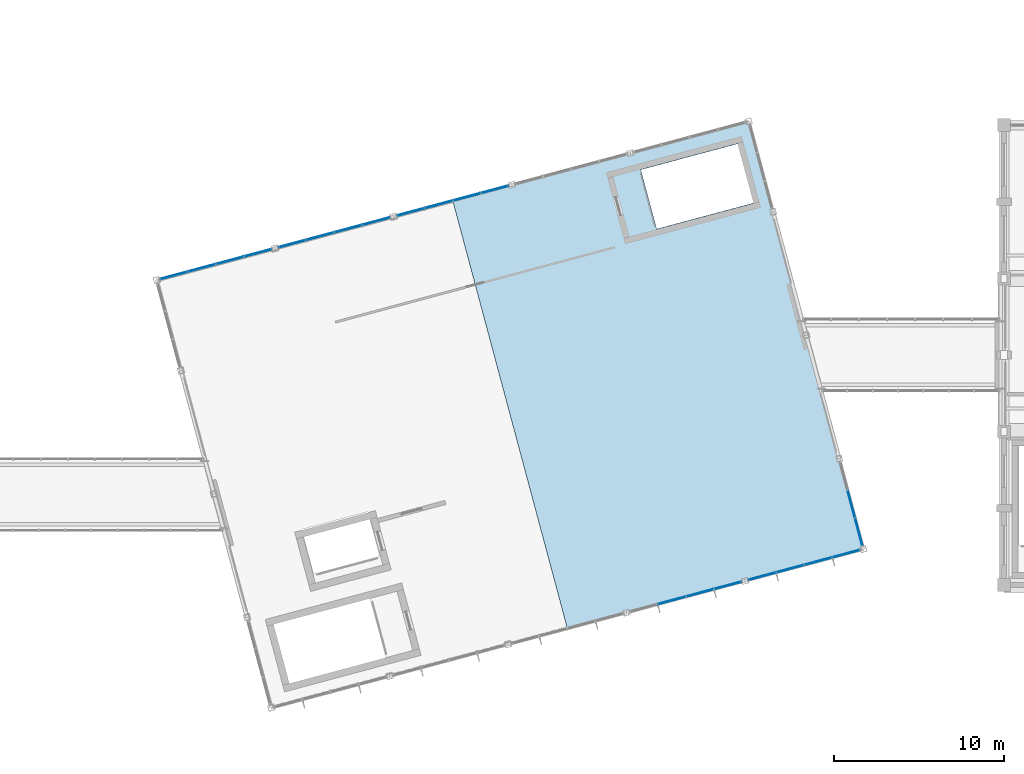
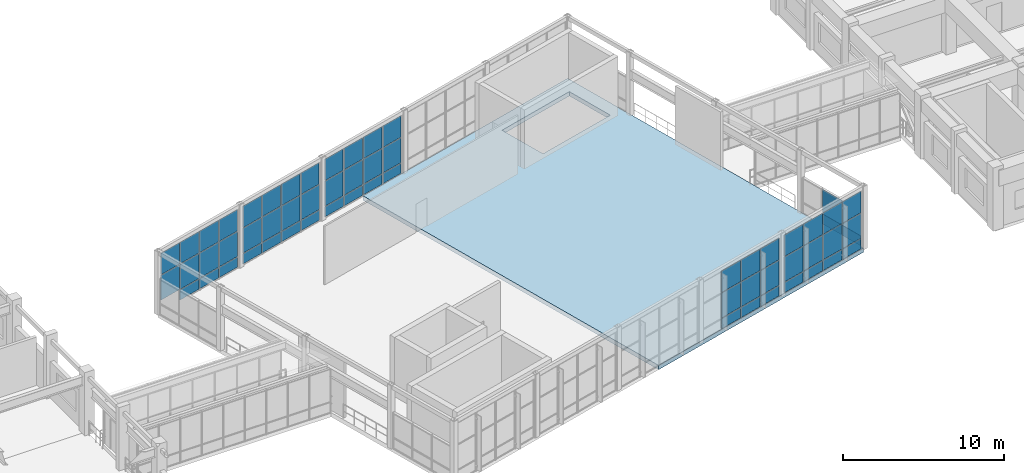
# One storey, part 74 of 99: 60 plates, 1 slab, 6 elements without a shape of their own.
"""IFC4 building model written with IfcOpenShell, lengths in metres."""

from ifc_helpers import new_model, si_unit, direction, frame, origin, origin_2d, place, context, subcontext, project, spatial, polyline, rectangle, outline, extrude, material, layer, layer_set, type_object, element, aggregate, save


model = new_model("IFC4")

# Units and contexts
model_context = context("Model", 3, precision=1e-05, world=origin(), true_north=direction((0.0, 1.0)))
body_context = subcontext(model_context, "Body", "Model", "MODEL_VIEW")
ifc_project = project(units=[si_unit("LENGTHUNIT", "METRE"), si_unit("AREAUNIT", "SQUARE_METRE"), si_unit("VOLUMEUNIT", "CUBIC_METRE"), si_unit("PLANEANGLEUNIT", "RADIAN"), si_unit("MASSUNIT", "GRAM", prefix="KILO")], contexts=[model_context])

# Site, building, storey
site_placement = place(None, origin())
site = spatial("IfcSite", under=ifc_project, at=site_placement, CompositionType="ELEMENT")
building_placement = place(site_placement, origin())
building = spatial("IfcBuilding", under=site, at=building_placement, Name="Ventoquebrada Cableway Terminal", CompositionType="ELEMENT")
storey_placement = place(building_placement, frame((0.0, 0.0, 9.60009765625)))
storey = spatial("IfcBuildingStorey", under=building, at=storey_placement, Name="L02", CompositionType="ELEMENT", Elevation=9.60009765625)

# Curtain wall, plates
ifc_material_1 = material(Name="Anodized thermally-broken aluminium", Category="aluminium")
ifc_layer_1 = layer(ifc_material_1, 0.159912109375)
ifc_layer_set_1 = layer_set([ifc_layer_1], Name="Anodized thermally-broken aluminium")
curtain_wall_type_1 = type_object("IfcCurtainWallType", Name="CW-T40", PredefinedType="USERDEFINED", material=ifc_layer_set_1)
curtain_wall_1_placement = place(storey_placement, origin())
curtain_wall_1 = element("IfcCurtainWall", 1, at=curtain_wall_1_placement, inside=storey, type_object=curtain_wall_type_1, Name="Unitised glazed curtain wall CW-104", ObjectType="UNITISED CURTAIN WALL", PredefinedType="USERDEFINED")
ifc_material_2 = material(Name="Double low-e laminated safety glazing", Category="glass")
ifc_layer_2 = layer(ifc_material_2, 0.031982421875)
ifc_layer_set_2 = layer_set([ifc_layer_2], Name="Double low-e laminated safety glazing")
plate_type_1 = type_object("IfcPlateType", Name="CWP-GL1", PredefinedType="CURTAIN_PANEL", material=ifc_layer_set_2)
plate_1_placement = place(storey_placement, frame((75.492919921875, 76.0849609375, 0.87451171875), z_axis=(0.0, 0.0, 1.0), x_axis=(0.965975498177, 0.258633595888, 0.0)))
plate_1 = element("IfcPlate", 2, at=plate_1_placement, type_object=plate_type_1, Name="Vision glazing panel PN-1087", PredefinedType="CURTAIN_PANEL", context=body_context, shape_type="SweptSolid", body=[
    extrude(rectangle(XDim=1.65087890625, YDim=0.031982421875, at=origin_2d()), origin(), (0.0, 0.0, 1.0), 1.885009765625),
])
plate_2_placement = place(storey_placement, frame((77.14501953125, 76.528076171875, 2.808837890625), z_axis=(0.0, 0.0, 1.0), x_axis=(0.965975498177, 0.258633595888, 0.0)))
plate_2 = element("IfcPlate", 3, at=plate_2_placement, type_object=plate_type_1, Name="Vision glazing panel PN-1091", PredefinedType="CURTAIN_PANEL", context=body_context, shape_type="SweptSolid", body=[
    extrude(rectangle(XDim=1.65087890625, YDim=0.031982421875, at=origin_2d()), origin(), (0.0, 0.0, 1.0), 1.6220703125),
])
plate_3_placement = place(storey_placement, frame((78.781005859375, 76.966064453125, 0.87451171875), z_axis=(0.0, 0.0, 1.0), x_axis=(0.965975498177, 0.258633595888, 0.0)))
plate_3 = element("IfcPlate", 4, at=plate_3_placement, type_object=plate_type_1, Name="Vision glazing panel PN-1093", PredefinedType="CURTAIN_PANEL", context=body_context, shape_type="SweptSolid", body=[
    extrude(rectangle(XDim=1.615966796875, YDim=0.031982421875, at=origin_2d()), origin(), (0.0, 0.0, 1.0), 1.885009765625),
])

curtain_wall_2_placement = place(storey_placement, origin())
curtain_wall_2 = element("IfcCurtainWall", 5, at=curtain_wall_2_placement, inside=storey, type_object=curtain_wall_type_1, Name="Unitised glazed curtain wall CW-105", ObjectType="UNITISED CURTAIN WALL", PredefinedType="USERDEFINED")
plate_4_placement = place(storey_placement, frame((80.81396484375, 77.510986328125, 2.808837890625), z_axis=(0.0, 0.0, 1.0), x_axis=(0.965930343386, 0.258802186477, 0.0)))
plate_4 = element("IfcPlate", 6, at=plate_4_placement, type_object=plate_type_1, Name="Vision glazing panel PN-1097", PredefinedType="CURTAIN_PANEL", context=body_context, shape_type="SweptSolid", body=[
    extrude(rectangle(XDim=1.615966796875, YDim=0.031982421875, at=origin_2d()), origin(), (0.0, 0.0, 1.0), 1.6220703125),
])
plate_5_placement = place(storey_placement, frame((82.447998046875, 77.948974609375, 0.87451171875), z_axis=(0.0, 0.0, 1.0), x_axis=(0.965930343386, 0.258802186477, 0.0)))
plate_5 = element("IfcPlate", 7, at=plate_5_placement, type_object=plate_type_1, Name="Vision glazing panel PN-1099", PredefinedType="CURTAIN_PANEL", context=body_context, shape_type="SweptSolid", body=[
    extrude(rectangle(XDim=1.65087890625, YDim=0.031982421875, at=origin_2d()), origin(), (0.0, 0.0, 1.0), 1.885009765625),
])
plate_6_placement = place(storey_placement, frame((84.10009765625, 78.39111328125, 2.808837890625), z_axis=(0.0, 0.0, 1.0), x_axis=(0.965930343386, 0.258802186477, 0.0)))
plate_6 = element("IfcPlate", 8, at=plate_6_placement, type_object=plate_type_1, Name="Vision glazing panel PN-1103", PredefinedType="CURTAIN_PANEL", context=body_context, shape_type="SweptSolid", body=[
    extrude(rectangle(XDim=1.65087890625, YDim=0.031982421875, at=origin_2d()), origin(), (0.0, 0.0, 1.0), 1.6220703125),
])
plate_7_placement = place(storey_placement, frame((85.73388671875, 78.8291015625, 0.87451171875), z_axis=(0.0, 0.0, 1.0), x_axis=(0.965930343386, 0.258802186477, 0.0)))
plate_7 = element("IfcPlate", 9, at=plate_7_placement, type_object=plate_type_1, Name="Vision glazing panel PN-1105", PredefinedType="CURTAIN_PANEL", context=body_context, shape_type="SweptSolid", body=[
    extrude(rectangle(XDim=1.615966796875, YDim=0.031982421875, at=origin_2d()), origin(), (0.0, 0.0, 1.0), 1.885009765625),
])

curtain_wall_3_placement = place(storey_placement, origin())
curtain_wall_3 = element("IfcCurtainWall", 10, at=curtain_wall_3_placement, inside=storey, type_object=curtain_wall_type_1, Name="Unitised glazed curtain wall CW-106", ObjectType="UNITISED CURTAIN WALL", PredefinedType="USERDEFINED")
plate_8_placement = place(storey_placement, frame((51.18603515625, 96.489013671875, 2.808837890625), z_axis=(0.0, 0.0, 1.0), x_axis=(-0.965930343386, -0.258802186477, 0.0)))
plate_8 = element("IfcPlate", 11, at=plate_8_placement, type_object=plate_type_1, Name="Vision glazing panel PN-1109", PredefinedType="CURTAIN_PANEL", context=body_context, shape_type="SweptSolid", body=[
    extrude(rectangle(XDim=1.615966796875, YDim=0.031982421875, at=origin_2d()), origin(), (0.0, 0.0, 1.0), 1.6220703125),
])
plate_9_placement = place(storey_placement, frame((49.551025390625, 96.051025390625, 0.87451171875), z_axis=(0.0, 0.0, 1.0), x_axis=(-0.965930343386, -0.258802186477, 0.0)))
plate_9 = element("IfcPlate", 12, at=plate_9_placement, type_object=plate_type_1, Name="Vision glazing panel PN-1111", PredefinedType="CURTAIN_PANEL", context=body_context, shape_type="SweptSolid", body=[
    extrude(rectangle(XDim=1.65087890625, YDim=0.031982421875, at=origin_2d()), origin(), (0.0, 0.0, 1.0), 1.885009765625),
])
plate_10_placement = place(storey_placement, frame((47.90087890625, 95.60888671875, 2.808837890625), z_axis=(0.0, 0.0, 1.0), x_axis=(-0.965930343386, -0.258802186477, 0.0)))
plate_10 = element("IfcPlate", 13, at=plate_10_placement, type_object=plate_type_1, Name="Vision glazing panel PN-1115", PredefinedType="CURTAIN_PANEL", context=body_context, shape_type="SweptSolid", body=[
    extrude(rectangle(XDim=1.65087890625, YDim=0.031982421875, at=origin_2d()), origin(), (0.0, 0.0, 1.0), 1.6220703125),
])
plate_11_placement = place(storey_placement, frame((46.26611328125, 95.1708984375, 0.87451171875), z_axis=(0.0, 0.0, 1.0), x_axis=(-0.965930343386, -0.258802186477, 0.0)))
plate_11 = element("IfcPlate", 14, at=plate_11_placement, type_object=plate_type_1, Name="Vision glazing panel PN-1117", PredefinedType="CURTAIN_PANEL", context=body_context, shape_type="SweptSolid", body=[
    extrude(rectangle(XDim=1.615966796875, YDim=0.031982421875, at=origin_2d()), origin(), (0.0, 0.0, 1.0), 1.885009765625),
])

curtain_wall_4_placement = place(storey_placement, origin())
curtain_wall_4 = element("IfcCurtainWall", 15, at=curtain_wall_4_placement, inside=storey, type_object=curtain_wall_type_1, Name="Unitised glazed curtain wall CW-107", ObjectType="UNITISED CURTAIN WALL", PredefinedType="USERDEFINED")
plate_12_placement = place(storey_placement, frame((58.14111328125, 98.35302734375, 2.808837890625), z_axis=(0.0, 0.0, 1.0), x_axis=(-0.965975498177, -0.258633595888, 0.0)))
plate_12 = element("IfcPlate", 16, at=plate_12_placement, type_object=plate_type_1, Name="Vision glazing panel PN-1121", PredefinedType="CURTAIN_PANEL", context=body_context, shape_type="SweptSolid", body=[
    extrude(rectangle(XDim=1.615966796875, YDim=0.031982421875, at=origin_2d()), origin(), (0.0, 0.0, 1.0), 1.6220703125),
])
plate_13_placement = place(storey_placement, frame((56.507080078125, 97.9150390625, 0.87451171875), z_axis=(0.0, 0.0, 1.0), x_axis=(-0.965975498177, -0.258633595888, 0.0)))
plate_13 = element("IfcPlate", 17, at=plate_13_placement, type_object=plate_type_1, Name="Vision glazing panel PN-1123", PredefinedType="CURTAIN_PANEL", context=body_context, shape_type="SweptSolid", body=[
    extrude(rectangle(XDim=1.65087890625, YDim=0.031982421875, at=origin_2d()), origin(), (0.0, 0.0, 1.0), 1.885009765625),
])
plate_14_placement = place(storey_placement, frame((54.85498046875, 97.471923828125, 2.808837890625), z_axis=(0.0, 0.0, 1.0), x_axis=(-0.965975498177, -0.258633595888, 0.0)))
plate_14 = element("IfcPlate", 18, at=plate_14_placement, type_object=plate_type_1, Name="Vision glazing panel PN-1127", PredefinedType="CURTAIN_PANEL", context=body_context, shape_type="SweptSolid", body=[
    extrude(rectangle(XDim=1.65087890625, YDim=0.031982421875, at=origin_2d()), origin(), (0.0, 0.0, 1.0), 1.6220703125),
])
plate_15_placement = place(storey_placement, frame((53.218994140625, 97.033935546875, 0.87451171875), z_axis=(0.0, 0.0, 1.0), x_axis=(-0.965975498177, -0.258633595888, 0.0)))
plate_15 = element("IfcPlate", 19, at=plate_15_placement, type_object=plate_type_1, Name="Vision glazing panel PN-1129", PredefinedType="CURTAIN_PANEL", context=body_context, shape_type="SweptSolid", body=[
    extrude(rectangle(XDim=1.615966796875, YDim=0.031982421875, at=origin_2d()), origin(), (0.0, 0.0, 1.0), 1.885009765625),
])

curtain_wall_5_placement = place(storey_placement, origin())
curtain_wall_5 = element("IfcCurtainWall", 20, at=curtain_wall_5_placement, inside=storey, type_object=curtain_wall_type_1, Name="Unitised glazed curtain wall CW-108", ObjectType="UNITISED CURTAIN WALL", PredefinedType="USERDEFINED")
plate_16_placement = place(storey_placement, frame((65.095947265625, 100.216064453125, 2.808837890625), z_axis=(0.0, 0.0, 1.0), x_axis=(-0.965939376699, -0.25876846899, 0.0)))
plate_16 = element("IfcPlate", 21, at=plate_16_placement, type_object=plate_type_1, Name="Vision glazing panel PN-1133", PredefinedType="CURTAIN_PANEL", context=body_context, shape_type="SweptSolid", body=[
    extrude(rectangle(XDim=1.615966796875, YDim=0.031982421875, at=origin_2d()), origin(), (0.0, 0.0, 1.0), 1.6220703125),
])
plate_17_placement = place(storey_placement, frame((63.4619140625, 99.778076171875, 0.87451171875), z_axis=(0.0, 0.0, 1.0), x_axis=(-0.965939376699, -0.25876846899, 0.0)))
plate_17 = element("IfcPlate", 22, at=plate_17_placement, type_object=plate_type_1, Name="Vision glazing panel PN-1135", PredefinedType="CURTAIN_PANEL", context=body_context, shape_type="SweptSolid", body=[
    extrude(rectangle(XDim=1.65087890625, YDim=0.031982421875, at=origin_2d()), origin(), (0.0, 0.0, 1.0), 1.885009765625),
])
plate_18_placement = place(storey_placement, frame((61.80908203125, 99.3359375, 2.808837890625), z_axis=(0.0, 0.0, 1.0), x_axis=(-0.965939376699, -0.25876846899, 0.0)))
plate_18 = element("IfcPlate", 23, at=plate_18_placement, type_object=plate_type_1, Name="Vision glazing panel PN-1139", PredefinedType="CURTAIN_PANEL", context=body_context, shape_type="SweptSolid", body=[
    extrude(rectangle(XDim=1.65087890625, YDim=0.031982421875, at=origin_2d()), origin(), (0.0, 0.0, 1.0), 1.6220703125),
])
plate_19_placement = place(storey_placement, frame((60.174072265625, 98.89697265625, 0.87451171875), z_axis=(0.0, 0.0, 1.0), x_axis=(-0.965939376699, -0.25876846899, 0.0)))
plate_19 = element("IfcPlate", 24, at=plate_19_placement, type_object=plate_type_1, Name="Vision glazing panel PN-1141", PredefinedType="CURTAIN_PANEL", context=body_context, shape_type="SweptSolid", body=[
    extrude(rectangle(XDim=1.615966796875, YDim=0.031982421875, at=origin_2d()), origin(), (0.0, 0.0, 1.0), 1.885009765625),
])

# Curtain wall, plate
ifc_layer_3 = layer(ifc_material_1, 0.159912109375)
ifc_layer_set_3 = layer_set([ifc_layer_3], Name="Anodized thermally-broken aluminium")
curtain_wall_type_2 = type_object("IfcCurtainWallType", Name="CW-T41", PredefinedType="USERDEFINED", material=ifc_layer_set_3)
curtain_wall_6_placement = place(storey_placement, origin())
curtain_wall_6 = element("IfcCurtainWall", 25, at=curtain_wall_6_placement, inside=storey, type_object=curtain_wall_type_2, Name="Unitised glazed curtain wall CW-113", ObjectType="UNITISED CURTAIN WALL", PredefinedType="USERDEFINED")
plate_20_placement = place(storey_placement, frame((86.0400390625, 81.758056640625, 0.87890625), z_axis=(0.0, 0.0, 1.0), x_axis=(-0.258616736395, 0.965980012038, 0.0)))
plate_20 = element("IfcPlate", 26, at=plate_20_placement, type_object=plate_type_1, Name="Vision glazing panel PN-1182", PredefinedType="CURTAIN_PANEL", context=body_context, shape_type="SweptSolid", body=[
    extrude(rectangle(XDim=1.6689453125, YDim=0.031982421875, at=origin_2d()), origin(), (0.0, 0.0, 1.0), 1.80810546875),
])

# Plate
ifc_layer_4 = layer(ifc_material_2, 0.0380859375)
ifc_layer_set_4 = layer_set([ifc_layer_4], Name="Double low-e laminated safety glazing")
plate_type_2 = type_object("IfcPlateType", Name="CWP-GL2", PredefinedType="CURTAIN_PANEL", material=ifc_layer_set_4)
plate_21_placement = place(storey_placement, frame((75.492919921875, 76.0849609375, 2.808837890625), z_axis=(0.0, 0.0, 1.0), x_axis=(0.965975498177, 0.258633595888, 0.0)))
plate_21 = element("IfcPlate", 27, at=plate_21_placement, type_object=plate_type_2, Name="Vision glazing panel PN-1088", PredefinedType="CURTAIN_PANEL", context=body_context, shape_type="SweptSolid", body=[
    extrude(rectangle(XDim=1.65087890625, YDim=0.0380859375, at=origin_2d()), origin(), (0.0, 0.0, 1.0), 1.6220703125),
])

plate_22_placement = place(storey_placement, frame((77.14501953125, 76.528076171875, 0.87451171875), z_axis=(0.0, 0.0, 1.0), x_axis=(0.965975498177, 0.258633595888, 0.0)))
plate_22 = element("IfcPlate", 28, at=plate_22_placement, type_object=plate_type_2, Name="Vision glazing panel PN-1090", PredefinedType="CURTAIN_PANEL", context=body_context, shape_type="SweptSolid", body=[
    extrude(rectangle(XDim=1.65087890625, YDim=0.0380859375, at=origin_2d()), origin(), (0.0, 0.0, 1.0), 1.885009765625),
])

plate_23_placement = place(storey_placement, frame((78.781005859375, 76.966064453125, 2.808837890625), z_axis=(0.0, 0.0, 1.0), x_axis=(0.965975498177, 0.258633595888, 0.0)))
plate_23 = element("IfcPlate", 29, at=plate_23_placement, type_object=plate_type_2, Name="Vision glazing panel PN-1094", PredefinedType="CURTAIN_PANEL", context=body_context, shape_type="SweptSolid", body=[
    extrude(rectangle(XDim=1.615966796875, YDim=0.0380859375, at=origin_2d()), origin(), (0.0, 0.0, 1.0), 1.6220703125),
])

plate_24_placement = place(storey_placement, frame((80.81396484375, 77.510986328125, 0.87451171875), z_axis=(0.0, 0.0, 1.0), x_axis=(0.965930343386, 0.258802186477, 0.0)))
plate_24 = element("IfcPlate", 30, at=plate_24_placement, type_object=plate_type_2, Name="Vision glazing panel PN-1096", PredefinedType="CURTAIN_PANEL", context=body_context, shape_type="SweptSolid", body=[
    extrude(rectangle(XDim=1.615966796875, YDim=0.0380859375, at=origin_2d()), origin(), (0.0, 0.0, 1.0), 1.885009765625),
])

plate_25_placement = place(storey_placement, frame((82.447998046875, 77.948974609375, 2.808837890625), z_axis=(0.0, 0.0, 1.0), x_axis=(0.965930343386, 0.258802186477, 0.0)))
plate_25 = element("IfcPlate", 31, at=plate_25_placement, type_object=plate_type_2, Name="Vision glazing panel PN-1100", PredefinedType="CURTAIN_PANEL", context=body_context, shape_type="SweptSolid", body=[
    extrude(rectangle(XDim=1.65087890625, YDim=0.0380859375, at=origin_2d()), origin(), (0.0, 0.0, 1.0), 1.6220703125),
])

plate_26_placement = place(storey_placement, frame((84.10009765625, 78.39111328125, 0.87451171875), z_axis=(0.0, 0.0, 1.0), x_axis=(0.965930343386, 0.258802186477, 0.0)))
plate_26 = element("IfcPlate", 32, at=plate_26_placement, type_object=plate_type_2, Name="Vision glazing panel PN-1102", PredefinedType="CURTAIN_PANEL", context=body_context, shape_type="SweptSolid", body=[
    extrude(rectangle(XDim=1.65087890625, YDim=0.0380859375, at=origin_2d()), origin(), (0.0, 0.0, 1.0), 1.885009765625),
])

plate_27_placement = place(storey_placement, frame((85.73388671875, 78.8291015625, 2.808837890625), z_axis=(0.0, 0.0, 1.0), x_axis=(0.965930343386, 0.258802186477, 0.0)))
plate_27 = element("IfcPlate", 33, at=plate_27_placement, type_object=plate_type_2, Name="Vision glazing panel PN-1106", PredefinedType="CURTAIN_PANEL", context=body_context, shape_type="SweptSolid", body=[
    extrude(rectangle(XDim=1.615966796875, YDim=0.0380859375, at=origin_2d()), origin(), (0.0, 0.0, 1.0), 1.6220703125),
])

plate_28_placement = place(storey_placement, frame((51.18603515625, 96.489013671875, 0.87451171875), z_axis=(0.0, 0.0, 1.0), x_axis=(-0.965930343386, -0.258802186477, 0.0)))
plate_28 = element("IfcPlate", 34, at=plate_28_placement, type_object=plate_type_2, Name="Vision glazing panel PN-1108", PredefinedType="CURTAIN_PANEL", context=body_context, shape_type="SweptSolid", body=[
    extrude(rectangle(XDim=1.615966796875, YDim=0.0380859375, at=origin_2d()), origin(), (0.0, 0.0, 1.0), 1.885009765625),
])

plate_29_placement = place(storey_placement, frame((49.551025390625, 96.051025390625, 2.808837890625), z_axis=(0.0, 0.0, 1.0), x_axis=(-0.965930343386, -0.258802186477, 0.0)))
plate_29 = element("IfcPlate", 35, at=plate_29_placement, type_object=plate_type_2, Name="Vision glazing panel PN-1112", PredefinedType="CURTAIN_PANEL", context=body_context, shape_type="SweptSolid", body=[
    extrude(rectangle(XDim=1.65087890625, YDim=0.0380859375, at=origin_2d()), origin(), (0.0, 0.0, 1.0), 1.6220703125),
])

plate_30_placement = place(storey_placement, frame((47.90087890625, 95.60888671875, 0.87451171875), z_axis=(0.0, 0.0, 1.0), x_axis=(-0.965930343386, -0.258802186477, 0.0)))
plate_30 = element("IfcPlate", 36, at=plate_30_placement, type_object=plate_type_2, Name="Vision glazing panel PN-1114", PredefinedType="CURTAIN_PANEL", context=body_context, shape_type="SweptSolid", body=[
    extrude(rectangle(XDim=1.65087890625, YDim=0.0380859375, at=origin_2d()), origin(), (0.0, 0.0, 1.0), 1.885009765625),
])

plate_31_placement = place(storey_placement, frame((46.26611328125, 95.1708984375, 2.808837890625), z_axis=(0.0, 0.0, 1.0), x_axis=(-0.965930343386, -0.258802186477, 0.0)))
plate_31 = element("IfcPlate", 37, at=plate_31_placement, type_object=plate_type_2, Name="Vision glazing panel PN-1118", PredefinedType="CURTAIN_PANEL", context=body_context, shape_type="SweptSolid", body=[
    extrude(rectangle(XDim=1.615966796875, YDim=0.0380859375, at=origin_2d()), origin(), (0.0, 0.0, 1.0), 1.6220703125),
])

plate_32_placement = place(storey_placement, frame((58.14111328125, 98.35302734375, 0.87451171875), z_axis=(0.0, 0.0, 1.0), x_axis=(-0.965975498177, -0.258633595888, 0.0)))
plate_32 = element("IfcPlate", 38, at=plate_32_placement, type_object=plate_type_2, Name="Vision glazing panel PN-1120", PredefinedType="CURTAIN_PANEL", context=body_context, shape_type="SweptSolid", body=[
    extrude(rectangle(XDim=1.615966796875, YDim=0.0380859375, at=origin_2d()), origin(), (0.0, 0.0, 1.0), 1.885009765625),
])

plate_33_placement = place(storey_placement, frame((56.507080078125, 97.9150390625, 2.808837890625), z_axis=(0.0, 0.0, 1.0), x_axis=(-0.965975498177, -0.258633595888, 0.0)))
plate_33 = element("IfcPlate", 39, at=plate_33_placement, type_object=plate_type_2, Name="Vision glazing panel PN-1124", PredefinedType="CURTAIN_PANEL", context=body_context, shape_type="SweptSolid", body=[
    extrude(rectangle(XDim=1.65087890625, YDim=0.0380859375, at=origin_2d()), origin(), (0.0, 0.0, 1.0), 1.6220703125),
])

plate_34_placement = place(storey_placement, frame((54.85498046875, 97.471923828125, 0.87451171875), z_axis=(0.0, 0.0, 1.0), x_axis=(-0.965975498177, -0.258633595888, 0.0)))
plate_34 = element("IfcPlate", 40, at=plate_34_placement, type_object=plate_type_2, Name="Vision glazing panel PN-1126", PredefinedType="CURTAIN_PANEL", context=body_context, shape_type="SweptSolid", body=[
    extrude(rectangle(XDim=1.65087890625, YDim=0.0380859375, at=origin_2d()), origin(), (0.0, 0.0, 1.0), 1.885009765625),
])

plate_35_placement = place(storey_placement, frame((53.218994140625, 97.033935546875, 2.808837890625), z_axis=(0.0, 0.0, 1.0), x_axis=(-0.965975498177, -0.258633595888, 0.0)))
plate_35 = element("IfcPlate", 41, at=plate_35_placement, type_object=plate_type_2, Name="Vision glazing panel PN-1130", PredefinedType="CURTAIN_PANEL", context=body_context, shape_type="SweptSolid", body=[
    extrude(rectangle(XDim=1.615966796875, YDim=0.0380859375, at=origin_2d()), origin(), (0.0, 0.0, 1.0), 1.6220703125),
])

plate_36_placement = place(storey_placement, frame((65.095947265625, 100.216064453125, 0.87451171875), z_axis=(0.0, 0.0, 1.0), x_axis=(-0.965939376699, -0.25876846899, 0.0)))
plate_36 = element("IfcPlate", 42, at=plate_36_placement, type_object=plate_type_2, Name="Vision glazing panel PN-1132", PredefinedType="CURTAIN_PANEL", context=body_context, shape_type="SweptSolid", body=[
    extrude(rectangle(XDim=1.615966796875, YDim=0.0380859375, at=origin_2d()), origin(), (0.0, 0.0, 1.0), 1.885009765625),
])

plate_37_placement = place(storey_placement, frame((63.4619140625, 99.778076171875, 2.808837890625), z_axis=(0.0, 0.0, 1.0), x_axis=(-0.965939376699, -0.25876846899, 0.0)))
plate_37 = element("IfcPlate", 43, at=plate_37_placement, type_object=plate_type_2, Name="Vision glazing panel PN-1136", PredefinedType="CURTAIN_PANEL", context=body_context, shape_type="SweptSolid", body=[
    extrude(rectangle(XDim=1.65087890625, YDim=0.0380859375, at=origin_2d()), origin(), (0.0, 0.0, 1.0), 1.6220703125),
])

plate_38_placement = place(storey_placement, frame((61.80908203125, 99.3359375, 0.87451171875), z_axis=(0.0, 0.0, 1.0), x_axis=(-0.965939376699, -0.25876846899, 0.0)))
plate_38 = element("IfcPlate", 44, at=plate_38_placement, type_object=plate_type_2, Name="Vision glazing panel PN-1138", PredefinedType="CURTAIN_PANEL", context=body_context, shape_type="SweptSolid", body=[
    extrude(rectangle(XDim=1.65087890625, YDim=0.0380859375, at=origin_2d()), origin(), (0.0, 0.0, 1.0), 1.885009765625),
])

plate_39_placement = place(storey_placement, frame((60.174072265625, 98.89697265625, 2.808837890625), z_axis=(0.0, 0.0, 1.0), x_axis=(-0.965939376699, -0.25876846899, 0.0)))
plate_39 = element("IfcPlate", 45, at=plate_39_placement, type_object=plate_type_2, Name="Vision glazing panel PN-1142", PredefinedType="CURTAIN_PANEL", context=body_context, shape_type="SweptSolid", body=[
    extrude(rectangle(XDim=1.615966796875, YDim=0.0380859375, at=origin_2d()), origin(), (0.0, 0.0, 1.0), 1.6220703125),
])

plate_40_placement = place(storey_placement, frame((86.47705078125, 80.1201171875, 0.87890625), z_axis=(0.0, 0.0, 1.0), x_axis=(-0.258616736395, 0.965980012038, 0.0)))
plate_40 = element("IfcPlate", 46, at=plate_40_placement, type_object=plate_type_2, Name="Vision glazing panel PN-1180", PredefinedType="CURTAIN_PANEL", context=body_context, shape_type="SweptSolid", body=[
    extrude(rectangle(XDim=1.634033203125, YDim=0.0380859375, at=origin_2d()), origin(), (0.0, 0.0, 1.0), 1.80810546875),
])

ifc_material_3 = material(Name="Insulated aluminium spandrel cassette", Category="aluminium")
ifc_layer_5 = layer(ifc_material_3, 0.044921875)
ifc_layer_set_5 = layer_set([ifc_layer_5], Name="Insulated aluminium spandrel cassette")
plate_type_3 = type_object("IfcPlateType", Name="CWP-SP1", PredefinedType="CURTAIN_PANEL", material=ifc_layer_set_5)
plate_41_placement = place(storey_placement, frame((75.492919921875, 76.0849609375, 0.059814453125), z_axis=(0.0, 0.0, 1.0), x_axis=(0.965975498177, 0.258633595888, 0.0)))
plate_41 = element("IfcPlate", 47, at=plate_41_placement, type_object=plate_type_3, Name="Insulated spandrel panel PN-1086", PredefinedType="CURTAIN_PANEL", context=body_context, shape_type="SweptSolid", body=[
    extrude(rectangle(XDim=1.65087890625, YDim=0.044921875, at=origin_2d()), origin(), (0.0, 0.0, 1.0), 0.76611328125),
])

plate_42_placement = place(storey_placement, frame((77.14501953125, 76.528076171875, 0.059814453125), z_axis=(0.0, 0.0, 1.0), x_axis=(0.965975498177, 0.258633595888, 0.0)))
plate_42 = element("IfcPlate", 48, at=plate_42_placement, type_object=plate_type_3, Name="Insulated spandrel panel PN-1089", PredefinedType="CURTAIN_PANEL", context=body_context, shape_type="SweptSolid", body=[
    extrude(rectangle(XDim=1.65087890625, YDim=0.044921875, at=origin_2d()), origin(), (0.0, 0.0, 1.0), 0.76611328125),
])

plate_43_placement = place(storey_placement, frame((78.781005859375, 76.966064453125, 0.059814453125), z_axis=(0.0, 0.0, 1.0), x_axis=(0.965975498177, 0.258633595888, 0.0)))
plate_43 = element("IfcPlate", 49, at=plate_43_placement, type_object=plate_type_3, Name="Insulated spandrel panel PN-1092", PredefinedType="CURTAIN_PANEL", context=body_context, shape_type="SweptSolid", body=[
    extrude(rectangle(XDim=1.615966796875, YDim=0.044921875, at=origin_2d()), origin(), (0.0, 0.0, 1.0), 0.76611328125),
])

aggregate(curtain_wall_1, [plate_41, plate_1, plate_21, plate_42, plate_22, plate_2, plate_43, plate_3, plate_23])

plate_44_placement = place(storey_placement, frame((80.81396484375, 77.510986328125, 0.059814453125), z_axis=(0.0, 0.0, 1.0), x_axis=(0.965930343386, 0.258802186477, 0.0)))
plate_44 = element("IfcPlate", 50, at=plate_44_placement, type_object=plate_type_3, Name="Insulated spandrel panel PN-1095", PredefinedType="CURTAIN_PANEL", context=body_context, shape_type="SweptSolid", body=[
    extrude(rectangle(XDim=1.615966796875, YDim=0.044921875, at=origin_2d()), origin(), (0.0, 0.0, 1.0), 0.76611328125),
])

plate_45_placement = place(storey_placement, frame((82.447998046875, 77.948974609375, 0.059814453125), z_axis=(0.0, 0.0, 1.0), x_axis=(0.965930343386, 0.258802186477, 0.0)))
plate_45 = element("IfcPlate", 51, at=plate_45_placement, type_object=plate_type_3, Name="Insulated spandrel panel PN-1098", PredefinedType="CURTAIN_PANEL", context=body_context, shape_type="SweptSolid", body=[
    extrude(rectangle(XDim=1.65087890625, YDim=0.044921875, at=origin_2d()), origin(), (0.0, 0.0, 1.0), 0.76611328125),
])

plate_46_placement = place(storey_placement, frame((84.10009765625, 78.39111328125, 0.059814453125), z_axis=(0.0, 0.0, 1.0), x_axis=(0.965930343386, 0.258802186477, 0.0)))
plate_46 = element("IfcPlate", 52, at=plate_46_placement, type_object=plate_type_3, Name="Insulated spandrel panel PN-1101", PredefinedType="CURTAIN_PANEL", context=body_context, shape_type="SweptSolid", body=[
    extrude(rectangle(XDim=1.65087890625, YDim=0.044921875, at=origin_2d()), origin(), (0.0, 0.0, 1.0), 0.76611328125),
])

plate_47_placement = place(storey_placement, frame((85.73388671875, 78.8291015625, 0.059814453125), z_axis=(0.0, 0.0, 1.0), x_axis=(0.965930343386, 0.258802186477, 0.0)))
plate_47 = element("IfcPlate", 53, at=plate_47_placement, type_object=plate_type_3, Name="Insulated spandrel panel PN-1104", PredefinedType="CURTAIN_PANEL", context=body_context, shape_type="SweptSolid", body=[
    extrude(rectangle(XDim=1.615966796875, YDim=0.044921875, at=origin_2d()), origin(), (0.0, 0.0, 1.0), 0.76611328125),
])

aggregate(curtain_wall_2, [plate_44, plate_24, plate_4, plate_45, plate_5, plate_25, plate_46, plate_26, plate_6, plate_47, plate_7, plate_27])

plate_48_placement = place(storey_placement, frame((51.18603515625, 96.489013671875, 0.059814453125), z_axis=(0.0, 0.0, 1.0), x_axis=(-0.965930343386, -0.258802186477, 0.0)))
plate_48 = element("IfcPlate", 54, at=plate_48_placement, type_object=plate_type_3, Name="Insulated spandrel panel PN-1107", PredefinedType="CURTAIN_PANEL", context=body_context, shape_type="SweptSolid", body=[
    extrude(rectangle(XDim=1.615966796875, YDim=0.044921875, at=origin_2d()), origin(), (0.0, 0.0, 1.0), 0.76611328125),
])

plate_49_placement = place(storey_placement, frame((49.551025390625, 96.051025390625, 0.059814453125), z_axis=(0.0, 0.0, 1.0), x_axis=(-0.965930343386, -0.258802186477, 0.0)))
plate_49 = element("IfcPlate", 55, at=plate_49_placement, type_object=plate_type_3, Name="Insulated spandrel panel PN-1110", PredefinedType="CURTAIN_PANEL", context=body_context, shape_type="SweptSolid", body=[
    extrude(rectangle(XDim=1.65087890625, YDim=0.044921875, at=origin_2d()), origin(), (0.0, 0.0, 1.0), 0.76611328125),
])

plate_50_placement = place(storey_placement, frame((47.90087890625, 95.60888671875, 0.059814453125), z_axis=(0.0, 0.0, 1.0), x_axis=(-0.965930343386, -0.258802186477, 0.0)))
plate_50 = element("IfcPlate", 56, at=plate_50_placement, type_object=plate_type_3, Name="Insulated spandrel panel PN-1113", PredefinedType="CURTAIN_PANEL", context=body_context, shape_type="SweptSolid", body=[
    extrude(rectangle(XDim=1.65087890625, YDim=0.044921875, at=origin_2d()), origin(), (0.0, 0.0, 1.0), 0.76611328125),
])

aggregate(curtain_wall_3, [plate_48, plate_28, plate_8, plate_49, plate_9, plate_29, plate_50, plate_30, plate_10, plate_11, plate_31])

plate_51_placement = place(storey_placement, frame((58.14111328125, 98.35302734375, 0.059814453125), z_axis=(0.0, 0.0, 1.0), x_axis=(-0.965975498177, -0.258633595888, 0.0)))
plate_51 = element("IfcPlate", 57, at=plate_51_placement, type_object=plate_type_3, Name="Insulated spandrel panel PN-1119", PredefinedType="CURTAIN_PANEL", context=body_context, shape_type="SweptSolid", body=[
    extrude(rectangle(XDim=1.615966796875, YDim=0.044921875, at=origin_2d()), origin(), (0.0, 0.0, 1.0), 0.76611328125),
])

plate_52_placement = place(storey_placement, frame((56.507080078125, 97.9150390625, 0.059814453125), z_axis=(0.0, 0.0, 1.0), x_axis=(-0.965975498177, -0.258633595888, 0.0)))
plate_52 = element("IfcPlate", 58, at=plate_52_placement, type_object=plate_type_3, Name="Insulated spandrel panel PN-1122", PredefinedType="CURTAIN_PANEL", context=body_context, shape_type="SweptSolid", body=[
    extrude(rectangle(XDim=1.65087890625, YDim=0.044921875, at=origin_2d()), origin(), (0.0, 0.0, 1.0), 0.76611328125),
])

plate_53_placement = place(storey_placement, frame((54.85498046875, 97.471923828125, 0.059814453125), z_axis=(0.0, 0.0, 1.0), x_axis=(-0.965975498177, -0.258633595888, 0.0)))
plate_53 = element("IfcPlate", 59, at=plate_53_placement, type_object=plate_type_3, Name="Insulated spandrel panel PN-1125", PredefinedType="CURTAIN_PANEL", context=body_context, shape_type="SweptSolid", body=[
    extrude(rectangle(XDim=1.65087890625, YDim=0.044921875, at=origin_2d()), origin(), (0.0, 0.0, 1.0), 0.76611328125),
])

plate_54_placement = place(storey_placement, frame((53.218994140625, 97.033935546875, 0.059814453125), z_axis=(0.0, 0.0, 1.0), x_axis=(-0.965975498177, -0.258633595888, 0.0)))
plate_54 = element("IfcPlate", 60, at=plate_54_placement, type_object=plate_type_3, Name="Insulated spandrel panel PN-1128", PredefinedType="CURTAIN_PANEL", context=body_context, shape_type="SweptSolid", body=[
    extrude(rectangle(XDim=1.615966796875, YDim=0.044921875, at=origin_2d()), origin(), (0.0, 0.0, 1.0), 0.76611328125),
])

aggregate(curtain_wall_4, [plate_51, plate_32, plate_12, plate_52, plate_13, plate_33, plate_53, plate_34, plate_14, plate_54, plate_15, plate_35])

plate_55_placement = place(storey_placement, frame((65.095947265625, 100.216064453125, 0.059814453125), z_axis=(0.0, 0.0, 1.0), x_axis=(-0.965939376699, -0.25876846899, 0.0)))
plate_55 = element("IfcPlate", 61, at=plate_55_placement, type_object=plate_type_3, Name="Insulated spandrel panel PN-1131", PredefinedType="CURTAIN_PANEL", context=body_context, shape_type="SweptSolid", body=[
    extrude(rectangle(XDim=1.615966796875, YDim=0.044921875, at=origin_2d()), origin(), (0.0, 0.0, 1.0), 0.76611328125),
])

plate_56_placement = place(storey_placement, frame((63.4619140625, 99.778076171875, 0.059814453125), z_axis=(0.0, 0.0, 1.0), x_axis=(-0.965939376699, -0.25876846899, 0.0)))
plate_56 = element("IfcPlate", 62, at=plate_56_placement, type_object=plate_type_3, Name="Insulated spandrel panel PN-1134", PredefinedType="CURTAIN_PANEL", context=body_context, shape_type="SweptSolid", body=[
    extrude(rectangle(XDim=1.65087890625, YDim=0.044921875, at=origin_2d()), origin(), (0.0, 0.0, 1.0), 0.76611328125),
])

plate_57_placement = place(storey_placement, frame((61.80908203125, 99.3359375, 0.059814453125), z_axis=(0.0, 0.0, 1.0), x_axis=(-0.965939376699, -0.25876846899, 0.0)))
plate_57 = element("IfcPlate", 63, at=plate_57_placement, type_object=plate_type_3, Name="Insulated spandrel panel PN-1137", PredefinedType="CURTAIN_PANEL", context=body_context, shape_type="SweptSolid", body=[
    extrude(rectangle(XDim=1.65087890625, YDim=0.044921875, at=origin_2d()), origin(), (0.0, 0.0, 1.0), 0.76611328125),
])

plate_58_placement = place(storey_placement, frame((60.174072265625, 98.89697265625, 0.059814453125), z_axis=(0.0, 0.0, 1.0), x_axis=(-0.965939376699, -0.25876846899, 0.0)))
plate_58 = element("IfcPlate", 64, at=plate_58_placement, type_object=plate_type_3, Name="Insulated spandrel panel PN-1140", PredefinedType="CURTAIN_PANEL", context=body_context, shape_type="SweptSolid", body=[
    extrude(rectangle(XDim=1.615966796875, YDim=0.044921875, at=origin_2d()), origin(), (0.0, 0.0, 1.0), 0.76611328125),
])

aggregate(curtain_wall_5, [plate_55, plate_36, plate_16, plate_56, plate_17, plate_37, plate_57, plate_38, plate_18, plate_58, plate_19, plate_39])

plate_59_placement = place(storey_placement, frame((86.47705078125, 80.1201171875, 0.06494140625), z_axis=(0.0, 0.0, 1.0), x_axis=(-0.258616736395, 0.965980012038, 0.0)))
plate_59 = element("IfcPlate", 65, at=plate_59_placement, type_object=plate_type_3, Name="Insulated spandrel panel PN-1179", PredefinedType="CURTAIN_PANEL", context=body_context, shape_type="SweptSolid", body=[
    extrude(rectangle(XDim=1.634033203125, YDim=0.044921875, at=origin_2d()), origin(), (0.0, 0.0, 1.0), 0.756103515625),
])

plate_60_placement = place(storey_placement, frame((86.0400390625, 81.758056640625, 0.06494140625), z_axis=(0.0, 0.0, 1.0), x_axis=(-0.258616736395, 0.965980012038, 0.0)))
plate_60 = element("IfcPlate", 66, at=plate_60_placement, type_object=plate_type_3, Name="Insulated spandrel panel PN-1181", PredefinedType="CURTAIN_PANEL", context=body_context, shape_type="SweptSolid", body=[
    extrude(rectangle(XDim=1.6689453125, YDim=0.044921875, at=origin_2d()), origin(), (0.0, 0.0, 1.0), 0.756103515625),
])

aggregate(curtain_wall_6, [plate_59, plate_40, plate_60, plate_20])

# Slab
ifc_material_4 = material(Name="Concrete C40/50", Category="concrete")
ifc_layer_6 = layer(ifc_material_4, 0.324951171875)
ifc_layer_set_6 = layer_set([ifc_layer_6], Name="Concrete C40/50")
slab_type = type_object("IfcSlabType", Name="SL-DK1", PredefinedType="FLOOR", material=ifc_layer_set_6)
slab_placement = place(storey_placement, frame((0.0, 0.0, -0.3251953125)))
element("IfcSlab", 67, at=slab_placement, inside=storey, type_object=slab_type, Name="Splayed boarding deck slab SL-074", PredefinedType="FLOOR", context=body_context, shape_type="SweptSolid", body=[
    extrude(outline(polyline([(69.364990234375, 74.443115234375), (86.7509765625, 79.10205078125), (80.02197265625, 104.216064453125), (62.635009765625, 99.556884765625), (69.364990234375, 74.443115234375)]), holes=[polyline([(74.612060546875, 97.89990234375), (73.679931640625, 101.3779296875), (79.388916015625, 102.906982421875), (80.321044921875, 99.429931640625), (74.612060546875, 97.89990234375)])]), origin(), (0.0, 0.0, 1.0), 0.3251953125),
])

save(model, "model.ifc")
